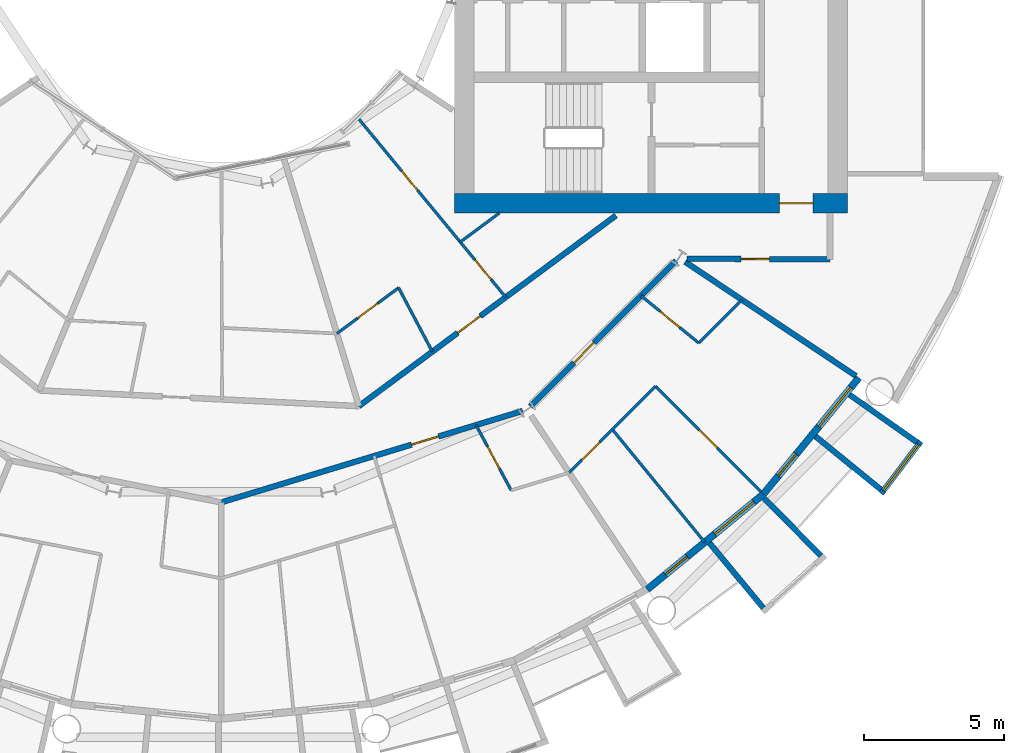
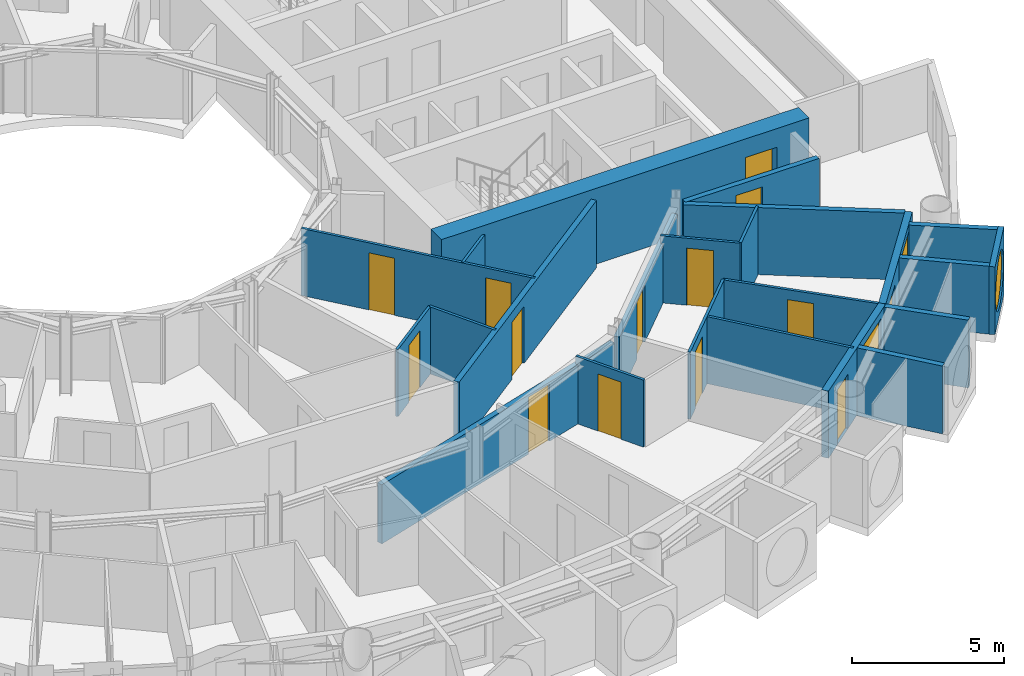
# One storey, part 16 of 26: 23 walls, 14 doors, 3 windows, 17 openings.
"""IFC4 building model written with IfcOpenShell, lengths in metres."""

from ifc_helpers import new_model, si_unit, direction, frame, frame_2d, origin, place, context, subcontext, project, spatial, rectangle, circle, extrude, material, layer, layer_set, type_object, element, fill, save


model = new_model("IFC4")

# Units and contexts
model_context = context("Model", 3, precision=1e-05, world=origin(), true_north=direction((0.0, 1.0)))
body_context = subcontext(model_context, "Body", "Model", "MODEL_VIEW")
ifc_project = project(units=[si_unit("LENGTHUNIT", "METRE"), si_unit("AREAUNIT", "SQUARE_METRE"), si_unit("VOLUMEUNIT", "CUBIC_METRE"), si_unit("PLANEANGLEUNIT", "RADIAN"), si_unit("MASSUNIT", "GRAM", prefix="KILO")], contexts=[model_context])

# Site, building, storey
site_placement = place(None, origin())
site = spatial("IfcSite", under=ifc_project, at=site_placement, CompositionType="ELEMENT")
building_placement = place(site_placement, origin())
building = spatial("IfcBuilding", under=site, at=building_placement, Name="Maasbend Ring Residences", CompositionType="ELEMENT")
storey_placement = place(building_placement, frame((0.0, 0.0, 69.699951171875)))
storey = spatial("IfcBuildingStorey", under=building, at=storey_placement, Name="L19", CompositionType="ELEMENT", Elevation=69.699951171875)

# Wall, opening, door
ifc_material_1 = material(Name="Concrete C70/85", Category="concrete")
ifc_layer_1 = layer(ifc_material_1, 0.699951171875)
ifc_layer_set_1 = layer_set([ifc_layer_1], Name="Concrete C70/85")
wall_type_1 = type_object("IfcWallType", Name="CORE WALL 700 C70/85", PredefinedType="SHEAR", material=ifc_layer_set_1)
wall_1_placement = place(storey_placement, frame((8.300048828125, -8.949951171875, 0.0), z_axis=(0.0, 0.0, 1.0), x_axis=(1.0, 0.0, 0.0)))
wall_1 = element("IfcWall", 1, at=wall_1_placement, inside=storey, type_object=wall_type_1, Name="L19 core E wall PS", PredefinedType="SHEAR", context=body_context, shape_type="SweptSolid", body=[
    extrude(rectangle(XDim=14.0, YDim=0.699951171875, at=frame_2d((7.0, 0.0))), origin(), (0.0, 0.0, 1.0), 3.050048828125),
])
opening_1_placement = place(wall_1_placement, frame((11.574951171875, 0.0, 0.0)))
opening_1 = element("IfcOpeningElement", 2, at=opening_1_placement, cuts=wall_1, Name="Opening D-E1916", PredefinedType="OPENING", context=body_context, shape_type="SweptSolid", body=[
    extrude(rectangle(XDim=1.199951171875, YDim=2.300048828125, at=frame_2d((0.60009765625, 1.14990234375))), frame((0.0, 0.35986328125, 0.0), z_axis=(0.0, -1.0, 0.0), x_axis=(1.0, 0.0, 0.0)), (0.0, 0.0, 1.0), 0.719970703125),
])
ifc_material_2 = material(Name="Steel, powder coated", Category="steel")
door_type_1 = type_object("IfcDoorType", Name="CORRIDOR DOOR 1200 X 2300 FD30S", OperationType="NOTDEFINED", PredefinedType="DOOR", material=ifc_material_2)
door_1_placement = place(opening_1_placement, origin())
door_1 = element("IfcDoor", 3, at=door_1_placement, inside=storey, type_object=door_type_1, Name="Corridor door L19", OperationType="SINGLE_SWING_LEFT", OverallHeight=2.300048828125, OverallWidth=1.199951171875, PredefinedType="DOOR", context=body_context, shape_type="SweptSolid", body=[
    extrude(rectangle(XDim=1.199951171875, YDim=2.300048828125, at=frame_2d((0.60009765625, 1.14990234375))), frame((0.0, 0.02490234375, 0.0), z_axis=(0.0, -1.0, 0.0), x_axis=(1.0, 0.0, 0.0)), (0.0, 0.0, 1.0), 0.050048828125),
])
fill(opening_1, door_1)

ifc_material_3 = material(Name="Concrete C30/37", Category="concrete")
ifc_layer_2 = layer(ifc_material_3, 0.199951171875)
ifc_layer_set_2 = layer_set([ifc_layer_2], Name="Concrete C30/37")
wall_type_2 = type_object("IfcWallType", Name="CORRIDOR WALL 200 CONCRETE", PredefinedType="PARTITIONING", material=ifc_layer_set_2)
wall_2_placement = place(storey_placement, frame((11.0, -16.18603515625, 0.0), z_axis=(0.0, 0.0, 1.0), x_axis=(0.707106781187, 0.707106781187, 0.0)))
wall_2 = element("IfcWall", 4, at=wall_2_placement, inside=storey, type_object=wall_type_2, Name="U-L19-w012", PredefinedType="PARTITIONING", context=body_context, shape_type="SweptSolid", body=[
    extrude(rectangle(XDim=7.334228515625, YDim=0.199951171875, at=frame_2d((3.6669921875, 0.0))), origin(), (0.0, 0.0, 1.0), 2.380126953125),
])
opening_2_placement = place(wall_2_placement, frame((2.2109375, 0.0, 0.0)))
opening_2 = element("IfcOpeningElement", 5, at=opening_2_placement, cuts=wall_2, Name="Opening D-1949", PredefinedType="OPENING", context=body_context, shape_type="SweptSolid", body=[
    extrude(rectangle(XDim=1.0, YDim=2.300048828125, at=frame_2d((0.5, 1.14990234375))), frame((0.0, 0.10986328125, 0.0), z_axis=(0.0, -1.0, 0.0), x_axis=(1.0, 0.0, 0.0)), (0.0, 0.0, 1.0), 0.219970703125),
])
ifc_material_4 = material(Name="Timber, fire-rated, painted", Category="wood")
door_type_2 = type_object("IfcDoorType", Name="FLAT ENTRANCE DOOR 1000 X 2300 FIRE-RATED", OperationType="NOTDEFINED", PredefinedType="DOOR", material=ifc_material_4)
door_2_placement = place(opening_2_placement, origin())
door_2 = element("IfcDoor", 6, at=door_2_placement, inside=storey, type_object=door_type_2, Name="D-1949", OperationType="SINGLE_SWING_LEFT", OverallHeight=2.300048828125, OverallWidth=1.0, PredefinedType="DOOR", context=body_context, shape_type="SweptSolid", body=[
    extrude(rectangle(XDim=1.0, YDim=2.300048828125, at=frame_2d((0.5, 1.14990234375))), frame((0.0, 0.02490234375, 0.0), z_axis=(0.0, -1.0, 0.0), x_axis=(1.0, 0.0, 0.0)), (0.0, 0.0, 1.0), 0.050048828125),
])
fill(opening_2, door_2)

wall_3_placement = place(storey_placement, frame((0.0, -19.60009765625, 0.0), z_axis=(0.0, 0.0, 1.0), x_axis=(0.956932298225, 0.290311172044, 0.0)))
wall_3 = element("IfcWall", 7, at=wall_3_placement, inside=storey, type_object=wall_type_2, Name="U-L19-w014", PredefinedType="PARTITIONING", context=body_context, shape_type="SweptSolid", body=[
    extrude(rectangle(XDim=11.21923828125, YDim=0.199951171875, at=frame_2d((5.609619140625, 0.0))), origin(), (0.0, 0.0, 1.0), 2.380126953125),
])
opening_3_placement = place(wall_3_placement, frame((7.0859375, 0.0, 0.0)))
opening_3 = element("IfcOpeningElement", 8, at=opening_3_placement, cuts=wall_3, Name="Opening D-1943", PredefinedType="OPENING", context=body_context, shape_type="SweptSolid", body=[
    extrude(rectangle(XDim=1.0, YDim=2.300048828125, at=frame_2d((0.5, 1.14990234375))), frame((0.0, 0.10986328125, 0.0), z_axis=(0.0, -1.0, 0.0), x_axis=(1.0, 0.0, 0.0)), (0.0, 0.0, 1.0), 0.219970703125),
])
door_3_placement = place(opening_3_placement, origin())
door_3 = element("IfcDoor", 9, at=door_3_placement, inside=storey, type_object=door_type_2, Name="D-1943", OperationType="SINGLE_SWING_RIGHT", OverallHeight=2.300048828125, OverallWidth=1.0, PredefinedType="DOOR", context=body_context, shape_type="SweptSolid", body=[
    extrude(rectangle(XDim=1.0, YDim=2.300048828125, at=frame_2d((0.5, 1.14990234375))), frame((0.0, 0.02490234375, 0.0), z_axis=(0.0, -1.0, 0.0), x_axis=(1.0, 0.0, 0.0)), (0.0, 0.0, 1.0), 0.050048828125),
])
fill(opening_3, door_3)

wall_4_placement = place(storey_placement, frame((4.906005859375, -16.172119140625, 0.0), z_axis=(0.0, 0.0, 1.0), x_axis=(0.803204584823, 0.59570327758, 0.0)))
wall_4 = element("IfcWall", 10, at=wall_4_placement, inside=storey, type_object=wall_type_2, Name="U-L19-w017", PredefinedType="PARTITIONING", context=body_context, shape_type="SweptSolid", body=[
    extrude(rectangle(XDim=11.386962890625, YDim=0.199951171875, at=frame_2d((5.693359375, 0.0))), origin(), (0.0, 0.0, 1.0), 2.699951171875),
])
opening_4_placement = place(wall_4_placement, frame((4.3798828125, 0.0, 0.0)))
opening_4 = element("IfcOpeningElement", 11, at=opening_4_placement, cuts=wall_4, Name="Opening D-1961", PredefinedType="OPENING", context=body_context, shape_type="SweptSolid", body=[
    extrude(rectangle(XDim=1.0, YDim=2.300048828125, at=frame_2d((0.5, 1.14990234375))), frame((0.0, 0.10986328125, 0.0), z_axis=(0.0, -1.0, 0.0), x_axis=(1.0, 0.0, 0.0)), (0.0, 0.0, 1.0), 0.219970703125),
])
door_4_placement = place(opening_4_placement, origin())
door_4 = element("IfcDoor", 12, at=door_4_placement, inside=storey, type_object=door_type_2, Name="D-1961", OperationType="SINGLE_SWING_LEFT", OverallHeight=2.300048828125, OverallWidth=1.0, PredefinedType="DOOR", context=body_context, shape_type="SweptSolid", body=[
    extrude(rectangle(XDim=1.0, YDim=2.300048828125, at=frame_2d((0.5, 1.14990234375))), frame((0.0, 0.02490234375, 0.0), z_axis=(0.0, -1.0, 0.0), x_axis=(1.0, 0.0, 0.0)), (0.0, 0.0, 1.0), 0.050048828125),
])
fill(opening_4, door_4)

wall_5_placement = place(storey_placement, frame((16.587890625, -10.925048828125, 0.0), z_axis=(0.0, 0.0, 1.0), x_axis=(0.999988019025, -0.004895079807, 0.0)))
wall_5 = element("IfcWall", 13, at=wall_5_placement, inside=storey, type_object=wall_type_2, Name="U-L19-w025", PredefinedType="PARTITIONING", context=body_context, shape_type="SweptSolid", body=[
    extrude(rectangle(XDim=5.087158203125, YDim=0.199951171875, at=frame_2d((2.54345703125, 0.0))), origin(), (0.0, 0.0, 1.0), 2.699951171875),
])
opening_5_placement = place(wall_5_placement, frame((1.925048828125, 0.0, 0.0)))
opening_5 = element("IfcOpeningElement", 14, at=opening_5_placement, cuts=wall_5, Name="Opening D-1967", PredefinedType="OPENING", context=body_context, shape_type="SweptSolid", body=[
    extrude(rectangle(XDim=1.0, YDim=2.300048828125, at=frame_2d((0.5, 1.14990234375))), frame((0.0, 0.10986328125, 0.0), z_axis=(0.0, -1.0, 0.0), x_axis=(1.0, 0.0, 0.0)), (0.0, 0.0, 1.0), 0.219970703125),
])
ifc_material_5 = material(Name="Timber, painted", Category="wood")
door_type_3 = type_object("IfcDoorType", Name="ROOM DOOR 1000 X 2300", OperationType="NOTDEFINED", PredefinedType="DOOR", material=ifc_material_5)
door_5_placement = place(opening_5_placement, origin())
door_5 = element("IfcDoor", 15, at=door_5_placement, inside=storey, type_object=door_type_3, Name="D-1967", OperationType="SINGLE_SWING_LEFT", OverallHeight=2.300048828125, OverallWidth=1.0, PredefinedType="DOOR", context=body_context, shape_type="SweptSolid", body=[
    extrude(rectangle(XDim=1.0, YDim=2.300048828125, at=frame_2d((0.5, 1.14990234375))), frame((0.0, 0.02490234375, 0.0), z_axis=(0.0, -1.0, 0.0), x_axis=(1.0, 0.0, 0.0)), (0.0, 0.0, 1.0), 0.050048828125),
])
fill(opening_5, door_5)

# Walls
ifc_material_6 = material(Name="Pale anodised aluminium panel", Category="aluminium")
ifc_layer_3 = layer(ifc_material_6, 0.199951171875)
ifc_layer_set_3 = layer_set([ifc_layer_3], Name="EW-BOX")
wall_type_3 = type_object("IfcWallType", Name="EW-BOX", PredefinedType="SOLIDWALL", material=ifc_layer_set_3)
wall_6_placement = place(storey_placement, frame((17.384033203125, -21.041015625, -0.030029296875), z_axis=(0.0, 0.0, 1.0), x_axis=(0.63709551667, -0.770784861449, 0.0)))
element("IfcWall", 16, at=wall_6_placement, inside=storey, type_object=wall_type_3, Name="Box side wall S18 left", PredefinedType="SOLIDWALL", context=body_context, shape_type="SweptSolid", body=[
    extrude(rectangle(XDim=3.005859375, YDim=0.199951171875, at=frame_2d((1.5029296875, 0.0))), origin(), (0.0, 0.0, 1.0), 2.72998046875),
])
wall_7_placement = place(storey_placement, frame((19.322998046875, -19.449951171875, -0.030029296875), z_axis=(0.0, 0.0, 1.0), x_axis=(0.704476739375, -0.709727076896, 0.0)))
element("IfcWall", 17, at=wall_7_placement, inside=storey, type_object=wall_type_3, Name="Box side wall S18 right", PredefinedType="SOLIDWALL", context=body_context, shape_type="SweptSolid", body=[
    extrude(rectangle(XDim=2.883056640625, YDim=0.199951171875, at=frame_2d((1.44140625, 0.0))), origin(), (0.0, 0.0, 1.0), 2.72998046875),
])

# Wall, opening, window
wall_8_placement = place(storey_placement, frame((23.4970703125, -19.2890625, -0.030029296875), z_axis=(0.0, 0.0, 1.0), x_axis=(0.60418752353, 0.796842165306, 0.0)))
wall_8 = element("IfcWall", 18, at=wall_8_placement, inside=storey, type_object=wall_type_3, Name="Box front S20", PredefinedType="SOLIDWALL", context=body_context, shape_type="SweptSolid", body=[
    extrude(rectangle(XDim=2.3369140625, YDim=0.199951171875, at=frame_2d((1.16845703125, 0.0))), origin(), (0.0, 0.0, 1.0), 2.72998046875),
])
opening_6_placement = place(wall_8_placement, frame((0.128173828125, 0.0, 0.330078125)))
opening_6 = element("IfcOpeningElement", 19, at=opening_6_placement, cuts=wall_8, Name="Opening W-RD", PredefinedType="OPENING", context=body_context, shape_type="SweptSolid", body=[
    extrude(circle(Radius=1.0400390625, at=frame_2d((1.0400390625, 1.0400390625))), frame((0.0, 0.10986328125, 0.0), z_axis=(0.0, -1.0, 0.0), x_axis=(1.0, 0.0, 0.0)), (0.0, 0.0, 1.0), 0.219970703125),
])
ifc_material_7 = material(Name="Aluminium and clear glass", Category="aluminium")
window_type_1 = type_object("IfcWindowType", Name="W-RD", PartitioningType="SINGLE_PANEL", PredefinedType="WINDOW", material=ifc_material_7)
window_1_placement = place(opening_6_placement, origin())
window_1 = element("IfcWindow", 20, at=window_1_placement, inside=storey, type_object=window_type_1, Name="Round window S20", OverallHeight=2.080078125, OverallWidth=2.080078125, PartitioningType="SINGLE_PANEL", PredefinedType="WINDOW", context=body_context, shape_type="SweptSolid", body=[
    extrude(circle(Radius=1.0400390625, at=frame_2d((1.0400390625, 1.0400390625))), frame((0.0, 0.030029296875, 0.0), z_axis=(0.0, -1.0, 0.0), x_axis=(1.0, 0.0, 0.0)), (0.0, 0.0, 1.0), 0.06005859375),
])
fill(opening_6, window_1)

# Walls
wall_9_placement = place(storey_placement, frame((21.155029296875, -17.24609375, -0.030029296875), z_axis=(0.0, 0.0, 1.0), x_axis=(0.775179004516, -0.631741648902, 0.0)))
element("IfcWall", 21, at=wall_9_placement, inside=storey, type_object=wall_type_3, Name="Box side wall S20 left", PredefinedType="SOLIDWALL", context=body_context, shape_type="SweptSolid", body=[
    extrude(rectangle(XDim=3.005859375, YDim=0.199951171875, at=frame_2d((1.5029296875, 0.0))), origin(), (0.0, 0.0, 1.0), 2.72998046875),
])
wall_10_placement = place(storey_placement, frame((22.3701171875, -15.764892578125, -0.030029296875), z_axis=(0.0, 0.0, 1.0), x_axis=(0.817256123454, -0.576274612209, 0.0)))
element("IfcWall", 22, at=wall_10_placement, inside=storey, type_object=wall_type_3, Name="Box side wall S20 right", PredefinedType="SOLIDWALL", context=body_context, shape_type="SweptSolid", body=[
    extrude(rectangle(XDim=2.932861328125, YDim=0.199951171875, at=frame_2d((1.46630859375, 0.0))), origin(), (0.0, 0.0, 1.0), 2.72998046875),
])

# Wall, openings, door, window
ifc_material_8 = material(Name="Aluminium clad insulated panel", Category="aluminium")
ifc_layer_4 = layer(ifc_material_8, 0.25)
ifc_layer_set_4 = layer_set([ifc_layer_4], Name="EW-GL")
wall_type_4 = type_object("IfcWallType", Name="EW-GL", PredefinedType="SOLIDWALL", material=ifc_layer_set_4)
wall_11_placement = place(storey_placement, frame((15.1669921875, -22.698974609375, 0.0), z_axis=(0.0, 0.0, 1.0), x_axis=(0.773019449054, 0.634382322723, 0.0)))
wall_11 = element("IfcWall", 23, at=wall_11_placement, inside=storey, type_object=wall_type_4, Name="External wall S09", PredefinedType="SOLIDWALL", context=body_context, shape_type="SweptSolid", body=[
    extrude(rectangle(XDim=5.351806640625, YDim=0.25, at=frame_2d((2.67578125, 0.0))), origin(), (0.0, 0.0, 1.0), 2.699951171875),
])
opening_7_placement = place(wall_11_placement, frame((0.841064453125, 0.0, 0.0)))
opening_7 = element("IfcOpeningElement", 24, at=opening_7_placement, cuts=wall_11, Name="Opening D-LG", PredefinedType="OPENING", context=body_context, shape_type="SweptSolid", body=[
    extrude(rectangle(XDim=1.0, YDim=2.199951171875, at=frame_2d((0.5, 1.10009765625))), frame((0.0, 0.135009765625, 0.0), z_axis=(0.0, -1.0, 0.0), x_axis=(1.0, 0.0, 0.0)), (0.0, 0.0, 1.0), 0.27001953125),
])
opening_8_placement = place(wall_11_placement, frame((3.110595703125, 0.0, 0.300048828125)))
opening_8 = element("IfcOpeningElement", 25, at=opening_8_placement, cuts=wall_11, Name="Opening W-BX", PredefinedType="OPENING", context=body_context, shape_type="SweptSolid", body=[
    extrude(rectangle(XDim=1.800048828125, YDim=2.10009765625, at=frame_2d((0.89990234375, 1.050048828125))), frame((0.0, 0.135009765625, 0.0), z_axis=(0.0, -1.0, 0.0), x_axis=(1.0, 0.0, 0.0)), (0.0, 0.0, 1.0), 0.27001953125),
])
ifc_material_9 = material(Name="Aluminium and clear glass", Category="aluminium")
door_type_4 = type_object("IfcDoorType", Name="D-LG", OperationType="SINGLE_SWING_LEFT", PredefinedType="DOOR", material=ifc_material_9)
door_6_placement = place(opening_7_placement, origin())
door_6 = element("IfcDoor", 26, at=door_6_placement, inside=storey, type_object=door_type_4, Name="Loggia door S17", OperationType="SINGLE_SWING_LEFT", OverallHeight=2.199951171875, OverallWidth=1.0, PredefinedType="DOOR", context=body_context, shape_type="SweptSolid", body=[
    extrude(rectangle(XDim=1.0, YDim=2.199951171875, at=frame_2d((0.5, 1.10009765625))), frame((0.0, 0.02490234375, 0.0), z_axis=(0.0, -1.0, 0.0), x_axis=(1.0, 0.0, 0.0)), (0.0, 0.0, 1.0), 0.050048828125),
])
fill(opening_7, door_6)
ifc_material_10 = material(Name="Aluminium and clear glass", Category="aluminium")
window_type_2 = type_object("IfcWindowType", Name="W-BX", PartitioningType="DOUBLE_PANEL_VERTICAL", PredefinedType="WINDOW", material=ifc_material_10)
window_2_placement = place(opening_8_placement, origin())
window_2 = element("IfcWindow", 27, at=window_2_placement, inside=storey, type_object=window_type_2, Name="Window S18 room to box", OverallHeight=2.10009765625, OverallWidth=1.800048828125, PartitioningType="SINGLE_PANEL", PredefinedType="WINDOW", context=body_context, shape_type="SweptSolid", body=[
    extrude(rectangle(XDim=1.800048828125, YDim=2.10009765625, at=frame_2d((0.89990234375, 1.050048828125))), frame((0.0, 0.030029296875, 0.0), z_axis=(0.0, -1.0, 0.0), x_axis=(1.0, 0.0, 0.0)), (0.0, 0.0, 1.0), 0.06005859375),
])
fill(opening_8, window_2)

wall_12_placement = place(storey_placement, frame((19.303955078125, -19.303955078125, 0.0), z_axis=(0.0, 0.0, 1.0), x_axis=(0.634382322723, 0.773019449054, 0.0)))
wall_12 = element("IfcWall", 28, at=wall_12_placement, inside=storey, type_object=wall_type_4, Name="External wall S10", PredefinedType="SOLIDWALL", context=body_context, shape_type="SweptSolid", body=[
    extrude(rectangle(XDim=5.351806640625, YDim=0.25, at=frame_2d((2.67578125, 0.0))), origin(), (0.0, 0.0, 1.0), 2.699951171875),
])
opening_9_placement = place(wall_12_placement, frame((0.841064453125, 0.0, 0.0)))
opening_9 = element("IfcOpeningElement", 29, at=opening_9_placement, cuts=wall_12, Name="Opening D-LG", PredefinedType="OPENING", context=body_context, shape_type="SweptSolid", body=[
    extrude(rectangle(XDim=1.0, YDim=2.199951171875, at=frame_2d((0.5, 1.10009765625))), frame((0.0, 0.135009765625, 0.0), z_axis=(0.0, -1.0, 0.0), x_axis=(1.0, 0.0, 0.0)), (0.0, 0.0, 1.0), 0.27001953125),
])
opening_10_placement = place(wall_12_placement, frame((3.110595703125, 0.0, 0.300048828125)))
opening_10 = element("IfcOpeningElement", 30, at=opening_10_placement, cuts=wall_12, Name="Opening W-BX", PredefinedType="OPENING", context=body_context, shape_type="SweptSolid", body=[
    extrude(rectangle(XDim=1.800048828125, YDim=2.10009765625, at=frame_2d((0.89990234375, 1.050048828125))), frame((0.0, 0.135009765625, 0.0), z_axis=(0.0, -1.0, 0.0), x_axis=(1.0, 0.0, 0.0)), (0.0, 0.0, 1.0), 0.27001953125),
])
door_7_placement = place(opening_9_placement, origin())
door_7 = element("IfcDoor", 31, at=door_7_placement, inside=storey, type_object=door_type_4, Name="Loggia door S19", OperationType="SINGLE_SWING_LEFT", OverallHeight=2.199951171875, OverallWidth=1.0, PredefinedType="DOOR", context=body_context, shape_type="SweptSolid", body=[
    extrude(rectangle(XDim=1.0, YDim=2.199951171875, at=frame_2d((0.5, 1.10009765625))), frame((0.0, 0.02490234375, 0.0), z_axis=(0.0, -1.0, 0.0), x_axis=(1.0, 0.0, 0.0)), (0.0, 0.0, 1.0), 0.050048828125),
])
fill(opening_9, door_7)
window_3_placement = place(opening_10_placement, origin())
window_3 = element("IfcWindow", 32, at=window_3_placement, inside=storey, type_object=window_type_2, Name="Window S20 room to box", OverallHeight=2.10009765625, OverallWidth=1.800048828125, PartitioningType="SINGLE_PANEL", PredefinedType="WINDOW", context=body_context, shape_type="SweptSolid", body=[
    extrude(rectangle(XDim=1.800048828125, YDim=2.10009765625, at=frame_2d((0.89990234375, 1.050048828125))), frame((0.0, 0.030029296875, 0.0), z_axis=(0.0, -1.0, 0.0), x_axis=(1.0, 0.0, 0.0)), (0.0, 0.0, 1.0), 0.06005859375),
])
fill(opening_10, window_3)

# Wall, opening, door
ifc_material_11 = material(Name="Gypsum board on steel studs", Category="steel")
ifc_layer_5 = layer(ifc_material_11, 0.10009765625)
ifc_layer_set_5 = layer_set([ifc_layer_5], Name="PARTITION 100 GYPSUM")
wall_type_5 = type_object("IfcWallType", Name="PARTITION 100 GYPSUM", PredefinedType="PARTITIONING", material=ifc_layer_set_5)
wall_13_placement = place(storey_placement, frame((12.385986328125, -18.544921875, 0.0), z_axis=(0.0, 0.0, 1.0), x_axis=(0.707106781187, 0.707106781187, 0.0)))
wall_13 = element("IfcWall", 33, at=wall_13_placement, inside=storey, type_object=wall_type_5, Name="U-L19-w003", PredefinedType="PARTITIONING", context=body_context, shape_type="SweptSolid", body=[
    extrude(rectangle(XDim=4.351318359375, YDim=0.10009765625, at=frame_2d((2.17578125, 0.0))), origin(), (0.0, 0.0, 1.0), 2.699951171875),
])
opening_11_placement = place(wall_13_placement, frame((0.64404296875, 0.0, 0.0)))
opening_11 = element("IfcOpeningElement", 34, at=opening_11_placement, cuts=wall_13, Name="Opening D-1952", PredefinedType="OPENING", context=body_context, shape_type="SweptSolid", body=[
    extrude(rectangle(XDim=0.89990234375, YDim=2.300048828125, at=frame_2d((0.449951171875, 1.14990234375))), frame((0.0, 0.06005859375, 0.0), z_axis=(0.0, -1.0, 0.0), x_axis=(1.0, 0.0, 0.0)), (0.0, 0.0, 1.0), 0.1201171875),
])
ifc_material_12 = material(Name="Timber, painted", Category="wood")
door_type_5 = type_object("IfcDoorType", Name="INTERNAL DOOR 900 X 2300", OperationType="NOTDEFINED", PredefinedType="DOOR", material=ifc_material_12)
door_8_placement = place(opening_11_placement, origin())
door_8 = element("IfcDoor", 35, at=door_8_placement, inside=storey, type_object=door_type_5, Name="D-1952", OperationType="SINGLE_SWING_LEFT", OverallHeight=2.300048828125, OverallWidth=0.89990234375, PredefinedType="DOOR", context=body_context, shape_type="SweptSolid", body=[
    extrude(rectangle(XDim=0.89990234375, YDim=2.300048828125, at=frame_2d((0.449951171875, 1.14990234375))), frame((0.0, 0.02490234375, 0.0), z_axis=(0.0, -1.0, 0.0), x_axis=(1.0, 0.0, 0.0)), (0.0, 0.0, 1.0), 0.050048828125),
])
fill(opening_11, door_8)

# Wall
wall_14_placement = place(storey_placement, frame((17.00390625, -13.927001953125, 0.0), z_axis=(0.0, 0.0, 1.0), x_axis=(0.707106781187, 0.707106781187, 0.0)))
element("IfcWall", 36, at=wall_14_placement, inside=storey, type_object=wall_type_5, Name="U-L19-w004", PredefinedType="PARTITIONING", context=body_context, shape_type="SweptSolid", body=[
    extrude(rectangle(XDim=2.17529296875, YDim=0.10009765625, at=frame_2d((1.087646484375, 0.0))), origin(), (0.0, 0.0, 1.0), 2.699951171875),
])

# Wall, opening, door
wall_15_placement = place(storey_placement, frame((4.123046875, -13.589111328125, 0.0), z_axis=(0.0, 0.0, 1.0), x_axis=(0.803128348509, 0.595806055542, 0.0)))
wall_15 = element("IfcWall", 37, at=wall_15_placement, inside=storey, type_object=wall_type_5, Name="U-L19-w022", PredefinedType="PARTITIONING", context=body_context, shape_type="SweptSolid", body=[
    extrude(rectangle(XDim=2.734375, YDim=0.10009765625, at=frame_2d((1.3671875, 0.0))), origin(), (0.0, 0.0, 1.0), 2.699951171875),
])
opening_12_placement = place(wall_15_placement, frame((0.916015625, 0.0, 0.0)))
opening_12 = element("IfcOpeningElement", 38, at=opening_12_placement, cuts=wall_15, Name="Opening D-1962", PredefinedType="OPENING", context=body_context, shape_type="SweptSolid", body=[
    extrude(rectangle(XDim=0.89990234375, YDim=2.300048828125, at=frame_2d((0.449951171875, 1.14990234375))), frame((0.0, 0.06005859375, 0.0), z_axis=(0.0, -1.0, 0.0), x_axis=(1.0, 0.0, 0.0)), (0.0, 0.0, 1.0), 0.1201171875),
])
door_9_placement = place(opening_12_placement, origin())
door_9 = element("IfcDoor", 39, at=door_9_placement, inside=storey, type_object=door_type_5, Name="D-1962", OperationType="SINGLE_SWING_LEFT", OverallHeight=2.300048828125, OverallWidth=0.89990234375, PredefinedType="DOOR", context=body_context, shape_type="SweptSolid", body=[
    extrude(rectangle(XDim=0.89990234375, YDim=2.300048828125, at=frame_2d((0.449951171875, 1.14990234375))), frame((0.0, 0.02490234375, 0.0), z_axis=(0.0, -1.0, 0.0), x_axis=(1.0, 0.0, 0.0)), (0.0, 0.0, 1.0), 0.050048828125),
])
fill(opening_12, door_9)

# Wall
wall_16_placement = place(storey_placement, frame((8.512939453125, -10.33203125, 0.0), z_axis=(0.0, 0.0, 1.0), x_axis=(0.803135014325, 0.595797070121, 0.0)))
element("IfcWall", 40, at=wall_16_placement, inside=storey, type_object=wall_type_5, Name="U-L19-w023", PredefinedType="PARTITIONING", context=body_context, shape_type="SweptSolid", body=[
    extrude(rectangle(XDim=1.732177734375, YDim=0.10009765625, at=frame_2d((0.8662109375, 0.0))), origin(), (0.0, 0.0, 1.0), 2.699951171875),
])

# Wall, openings, doors
wall_17_placement = place(storey_placement, frame((4.907958984375, -5.958984375, 0.0), z_axis=(0.0, 0.0, 1.0), x_axis=(0.636105207978, -0.771602335652, 0.0)))
wall_17 = element("IfcWall", 41, at=wall_17_placement, inside=storey, type_object=wall_type_5, Name="U-L19-w069", PredefinedType="PARTITIONING", context=body_context, shape_type="SweptSolid", body=[
    extrude(rectangle(XDim=8.212646484375, YDim=0.10009765625, at=frame_2d((4.1064453125, 0.0))), origin(), (0.0, 0.0, 1.0), 2.699951171875),
])
opening_13_placement = place(wall_17_placement, frame((6.489990234375, 0.0, 0.0)))
opening_13 = element("IfcOpeningElement", 42, at=opening_13_placement, cuts=wall_17, Name="Opening D-1963", PredefinedType="OPENING", context=body_context, shape_type="SweptSolid", body=[
    extrude(rectangle(XDim=0.89990234375, YDim=2.300048828125, at=frame_2d((0.449951171875, 1.14990234375))), frame((0.0, 0.06005859375, 0.0), z_axis=(0.0, -1.0, 0.0), x_axis=(1.0, 0.0, 0.0)), (0.0, 0.0, 1.0), 0.1201171875),
])
opening_14_placement = place(wall_17_placement, frame((2.384033203125, 0.0, 0.0)))
opening_14 = element("IfcOpeningElement", 43, at=opening_14_placement, cuts=wall_17, Name="Opening D-1964", PredefinedType="OPENING", context=body_context, shape_type="SweptSolid", body=[
    extrude(rectangle(XDim=0.89990234375, YDim=2.300048828125, at=frame_2d((0.449951171875, 1.14990234375))), frame((0.0, 0.06005859375, 0.0), z_axis=(0.0, -1.0, 0.0), x_axis=(1.0, 0.0, 0.0)), (0.0, 0.0, 1.0), 0.1201171875),
])
door_10_placement = place(opening_13_placement, origin())
door_10 = element("IfcDoor", 44, at=door_10_placement, inside=storey, type_object=door_type_5, Name="D-1963", OperationType="SINGLE_SWING_RIGHT", OverallHeight=2.300048828125, OverallWidth=0.89990234375, PredefinedType="DOOR", context=body_context, shape_type="SweptSolid", body=[
    extrude(rectangle(XDim=0.89990234375, YDim=2.300048828125, at=frame_2d((0.449951171875, 1.14990234375))), frame((0.0, 0.02490234375, 0.0), z_axis=(0.0, -1.0, 0.0), x_axis=(1.0, 0.0, 0.0)), (0.0, 0.0, 1.0), 0.050048828125),
])
fill(opening_13, door_10)
door_11_placement = place(opening_14_placement, origin())
door_11 = element("IfcDoor", 45, at=door_11_placement, inside=storey, type_object=door_type_5, Name="D-1964", OperationType="SINGLE_SWING_LEFT", OverallHeight=2.300048828125, OverallWidth=0.89990234375, PredefinedType="DOOR", context=body_context, shape_type="SweptSolid", body=[
    extrude(rectangle(XDim=0.89990234375, YDim=2.300048828125, at=frame_2d((0.449951171875, 1.14990234375))), frame((0.0, 0.02490234375, 0.0), z_axis=(0.0, -1.0, 0.0), x_axis=(1.0, 0.0, 0.0)), (0.0, 0.0, 1.0), 0.050048828125),
])
fill(opening_14, door_11)

# Wall
wall_18_placement = place(storey_placement, frame((6.318115234375, -11.9599609375, 0.0), z_axis=(0.0, 0.0, 1.0), x_axis=(0.467001992543, -0.884256263173, 0.0)))
element("IfcWall", 46, at=wall_18_placement, inside=storey, type_object=wall_type_5, Name="U-L19-w073", PredefinedType="PARTITIONING", context=body_context, shape_type="SweptSolid", body=[
    extrude(rectangle(XDim=2.571533203125, YDim=0.10009765625, at=frame_2d((1.28564453125, 0.0))), origin(), (0.0, 0.0, 1.0), 2.699951171875),
])

# Wall, opening, door
wall_19_placement = place(storey_placement, frame((9.073974609375, -16.846923828125, 0.0), z_axis=(0.0, 0.0, 1.0), x_axis=(0.474160570331, -0.880438387136, 0.0)))
wall_19 = element("IfcWall", 47, at=wall_19_placement, inside=storey, type_object=wall_type_5, Name="U-L19-w075", PredefinedType="PARTITIONING", context=body_context, shape_type="SweptSolid", body=[
    extrude(rectangle(XDim=2.63623046875, YDim=0.10009765625, at=frame_2d((1.318115234375, 0.0))), origin(), (0.0, 0.0, 1.0), 2.699951171875),
])
opening_15_placement = place(wall_19_placement, frame((0.867919921875, 0.0, 0.0)))
opening_15 = element("IfcOpeningElement", 48, at=opening_15_placement, cuts=wall_19, Name="Opening D-1944", PredefinedType="OPENING", context=body_context, shape_type="SweptSolid", body=[
    extrude(rectangle(XDim=0.89990234375, YDim=2.300048828125, at=frame_2d((0.449951171875, 1.14990234375))), frame((0.0, 0.06005859375, 0.0), z_axis=(0.0, -1.0, 0.0), x_axis=(1.0, 0.0, 0.0)), (0.0, 0.0, 1.0), 0.1201171875),
])
door_12_placement = place(opening_15_placement, origin())
door_12 = element("IfcDoor", 49, at=door_12_placement, inside=storey, type_object=door_type_5, Name="D-1944", OperationType="SINGLE_SWING_RIGHT", OverallHeight=2.300048828125, OverallWidth=0.89990234375, PredefinedType="DOOR", context=body_context, shape_type="SweptSolid", body=[
    extrude(rectangle(XDim=0.89990234375, YDim=2.300048828125, at=frame_2d((0.449951171875, 1.14990234375))), frame((0.0, 0.02490234375, 0.0), z_axis=(0.0, -1.0, 0.0), x_axis=(1.0, 0.0, 0.0)), (0.0, 0.0, 1.0), 0.050048828125),
])
fill(opening_15, door_12)

# Wall
wall_20_placement = place(storey_placement, frame((13.927001953125, -17.00390625, 0.0), z_axis=(0.0, 0.0, 1.0), x_axis=(0.633774976367, -0.773517471898, 0.0)))
element("IfcWall", 50, at=wall_20_placement, inside=storey, type_object=wall_type_5, Name="U-L19-w079", PredefinedType="PARTITIONING", context=body_context, shape_type="SweptSolid", body=[
    extrude(rectangle(XDim=5.19580078125, YDim=0.10009765625, at=frame_2d((2.597900390625, 0.0))), origin(), (0.0, 0.0, 1.0), 2.699951171875),
])

# Wall, opening, door
wall_21_placement = place(storey_placement, frame((14.945068359375, -12.240966796875, 0.0), z_axis=(0.0, 0.0, 1.0), x_axis=(0.77367517848, -0.633582447834, 0.0)))
wall_21 = element("IfcWall", 51, at=wall_21_placement, inside=storey, type_object=wall_type_5, Name="U-L19-w080", PredefinedType="PARTITIONING", context=body_context, shape_type="SweptSolid", body=[
    extrude(rectangle(XDim=2.6611328125, YDim=0.10009765625, at=frame_2d((1.33056640625, 0.0))), origin(), (0.0, 0.0, 1.0), 2.699951171875),
])
opening_16_placement = place(wall_21_placement, frame((0.881103515625, 0.0, 0.0)))
opening_16 = element("IfcOpeningElement", 52, at=opening_16_placement, cuts=wall_21, Name="Opening D-1950", PredefinedType="OPENING", context=body_context, shape_type="SweptSolid", body=[
    extrude(rectangle(XDim=0.89990234375, YDim=2.300048828125, at=frame_2d((0.449951171875, 1.14990234375))), frame((0.0, 0.06005859375, 0.0), z_axis=(0.0, -1.0, 0.0), x_axis=(1.0, 0.0, 0.0)), (0.0, 0.0, 1.0), 0.1201171875),
])
door_13_placement = place(opening_16_placement, origin())
door_13 = element("IfcDoor", 53, at=door_13_placement, inside=storey, type_object=door_type_5, Name="D-1950", OperationType="SINGLE_SWING_LEFT", OverallHeight=2.300048828125, OverallWidth=0.89990234375, PredefinedType="DOOR", context=body_context, shape_type="SweptSolid", body=[
    extrude(rectangle(XDim=0.89990234375, YDim=2.300048828125, at=frame_2d((0.449951171875, 1.14990234375))), frame((0.0, 0.02490234375, 0.0), z_axis=(0.0, -1.0, 0.0), x_axis=(1.0, 0.0, 0.0)), (0.0, 0.0, 1.0), 0.050048828125),
])
fill(opening_16, door_13)

wall_22_placement = place(storey_placement, frame((15.465087890625, -15.465087890625, 0.0), z_axis=(0.0, 0.0, 1.0), x_axis=(0.707106781187, -0.707106781187, 0.0)))
wall_22 = element("IfcWall", 54, at=wall_22_placement, inside=storey, type_object=wall_type_5, Name="U-L19-w082", PredefinedType="PARTITIONING", context=body_context, shape_type="SweptSolid", body=[
    extrude(rectangle(XDim=5.3046875, YDim=0.10009765625, at=frame_2d((2.65234375, 0.0))), origin(), (0.0, 0.0, 1.0), 2.699951171875),
])
opening_17_placement = place(wall_22_placement, frame((2.201904296875, 0.0, 0.0)))
opening_17 = element("IfcOpeningElement", 55, at=opening_17_placement, cuts=wall_22, Name="Opening D-1951", PredefinedType="OPENING", context=body_context, shape_type="SweptSolid", body=[
    extrude(rectangle(XDim=0.89990234375, YDim=2.300048828125, at=frame_2d((0.449951171875, 1.14990234375))), frame((0.0, 0.06005859375, 0.0), z_axis=(0.0, -1.0, 0.0), x_axis=(1.0, 0.0, 0.0)), (0.0, 0.0, 1.0), 0.1201171875),
])
door_14_placement = place(opening_17_placement, origin())
door_14 = element("IfcDoor", 56, at=door_14_placement, inside=storey, type_object=door_type_5, Name="D-1951", OperationType="SINGLE_SWING_RIGHT", OverallHeight=2.300048828125, OverallWidth=0.89990234375, PredefinedType="DOOR", context=body_context, shape_type="SweptSolid", body=[
    extrude(rectangle(XDim=0.89990234375, YDim=2.300048828125, at=frame_2d((0.449951171875, 1.14990234375))), frame((0.0, 0.02490234375, 0.0), z_axis=(0.0, -1.0, 0.0), x_axis=(1.0, 0.0, 0.0)), (0.0, 0.0, 1.0), 0.050048828125),
])
fill(opening_17, door_14)

# Wall
ifc_material_13 = material(Name="Concrete C30/37", Category="concrete")
ifc_layer_6 = layer(ifc_material_13, 0.199951171875)
ifc_layer_set_6 = layer_set([ifc_layer_6], Name="Concrete C30/37")
wall_type_6 = type_object("IfcWallType", Name="PARTY WALL 200 CONCRETE", PredefinedType="PARTITIONING", material=ifc_layer_set_6)
wall_23_placement = place(storey_placement, frame((16.514892578125, -11.034912109375, 0.0), z_axis=(0.0, 0.0, 1.0), x_axis=(0.831505405283, -0.555516661303, 0.0)))
element("IfcWall", 57, at=wall_23_placement, inside=storey, type_object=wall_type_6, Name="U-L19-w084", PredefinedType="PARTITIONING", context=body_context, shape_type="SweptSolid", body=[
    extrude(rectangle(XDim=7.31201171875, YDim=0.199951171875, at=frame_2d((3.656005859375, 0.0))), origin(), (0.0, 0.0, 1.0), 2.699951171875),
])

save(model, "model.ifc")
